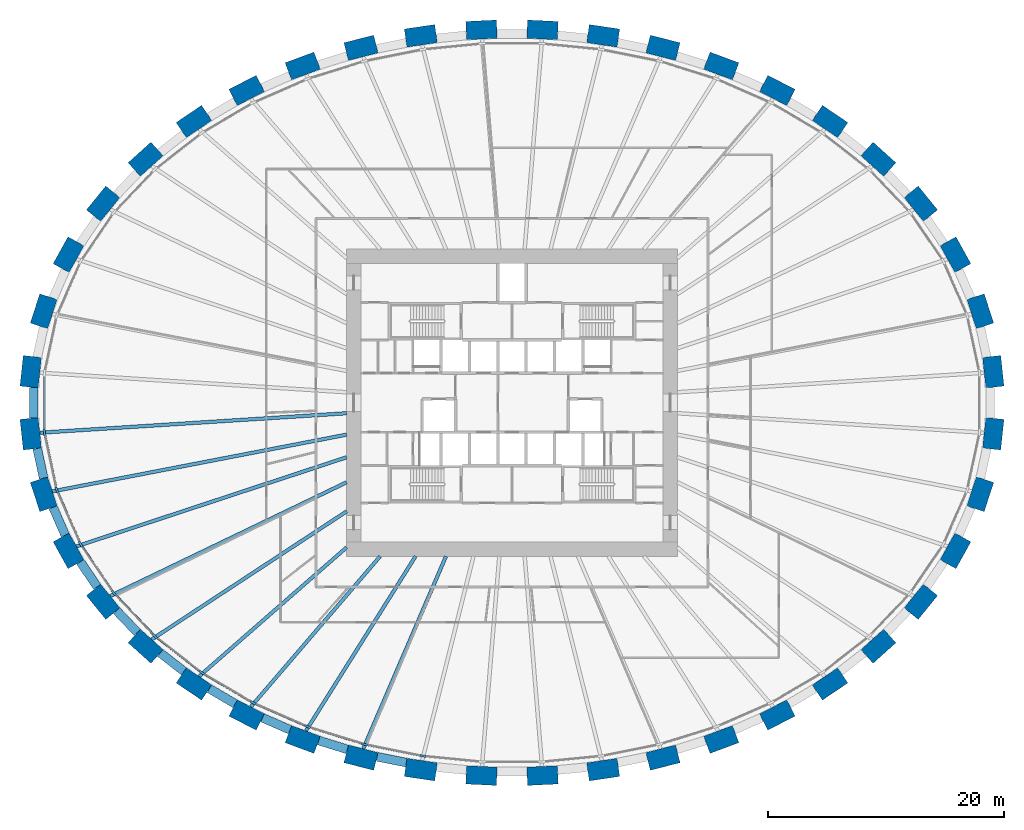
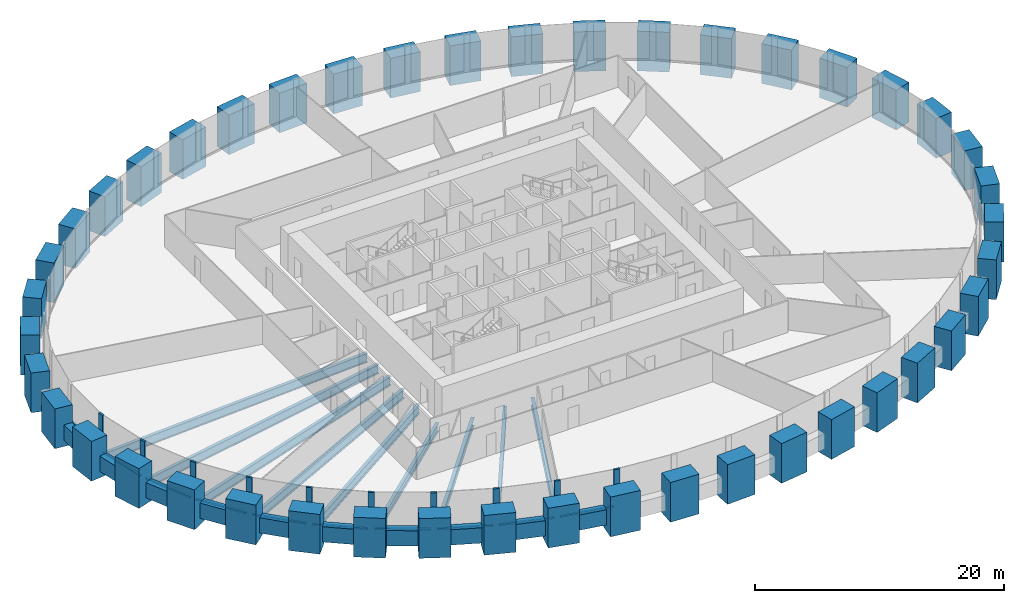
# One storey, part 1 of 11: 44 columns, 20 members, 19 beams, 1 element without a shape of its own.
"""IFC4 building model written with IfcOpenShell, lengths in metres."""

from ifc_helpers import new_model, si_unit, direction, frame, origin, origin_2d, place, context, subcontext, project, spatial, rectangle, i_section, extrude, source, transform, mapped, material, material_profile, profile_set, type_object, element, aggregate, save


model = new_model("IFC4")

# Units and contexts
model_context = context("Model", 3, precision=1e-05, world=origin(), true_north=direction((0.0, 1.0)))
body_context = subcontext(model_context, "Body", "Model", "MODEL_VIEW")
ifc_project = project(units=[si_unit("LENGTHUNIT", "METRE"), si_unit("AREAUNIT", "SQUARE_METRE"), si_unit("VOLUMEUNIT", "CUBIC_METRE"), si_unit("PLANEANGLEUNIT", "RADIAN"), si_unit("MASSUNIT", "GRAM", prefix="KILO")], contexts=[model_context])

# Site, building, storey
site_placement = place(None, origin())
site = spatial("IfcSite", under=ifc_project, at=site_placement, CompositionType="ELEMENT")
building_placement = place(site_placement, origin())
building = spatial("IfcBuilding", under=site, at=building_placement, Name="Embergate Tower", CompositionType="ELEMENT")
storey_placement = place(building_placement, frame((0.0, 0.0, 69.800048828125)))
storey = spatial("IfcBuildingStorey", under=building, at=storey_placement, Name="L13", CompositionType="ELEMENT", Elevation=69.800048828125)

# Columns
ifc_material_1 = material(Name="Concrete C70", Category="concrete")
ifc_material_profile_1 = material_profile(ifc_material_1, rectangle(XDim=1.550048828125, YDim=2.60009765625, at=origin_2d()), Name="RC 1550x2600")
ifc_profile_set_1 = profile_set([ifc_material_profile_1], Name="Concrete C70")
column_type = type_object("IfcColumnType", Name="Ring column RC 1550x2600 C70", PredefinedType="COLUMN", material=ifc_profile_set_1)
shared_shape_1 = source(origin(), body_context, "Body", "SweptSolid", [
    extrude(rectangle(XDim=1.550048828125, YDim=2.60009765625, at=origin_2d()), origin(), (0.0, 0.0, 1.0), 3.900146484375),
])
for number, where, z_axis, x_axis, name in (
    (1, (40.7529296875, 2.623046875, -1.400146484375), (0.0, 0.0, 1.0), (0.99428589498, 0.106749983816, 0.0), "COL-L13-00"),
    (2, (39.65087890625, 7.7470703125, -1.400146484375), (0.0, 0.0, 1.0), (0.950754033697, 0.309946394413, 0.0), "COL-L13-01"),
    (3, (37.550048828125, 12.5380859375, -1.400146484375), (0.0, 0.0, 1.0), (0.873500465855, 0.486823311018, 0.0), "COL-L13-02"),
    (4, (34.615966796875, 16.85302734375, -1.400146484375), (0.0, 0.0, 1.0), (0.775925311702, 0.630824786022, 0.0), "COL-L13-03"),
    (5, (31.02490234375, 20.618896484375, -1.400146484375), (0.0, 0.0, 1.0), (0.669208424634, 0.74307475021, 0.0), "COL-L13-04"),
    (6, (26.930908203125, 23.81396484375, -1.400146484375), (0.0, 0.0, 1.0), (0.560393279442, 0.828226643109, 0.0), "COL-L13-05"),
    (7, (22.464111328125, 26.44091796875, -1.400146484375), (0.0, 0.0, 1.0), (0.453010512651, 0.891505174089, 0.0), "COL-L13-06"),
    (8, (17.721923828125, 28.514892578125, -1.400146484375), (0.0, 0.0, 1.0), (0.348343015724, 0.93736713373, 0.0), "COL-L13-07"),
    (9, (12.785888671875, 30.052001953125, -1.400146484375), (0.0, 0.0, 1.0), (0.24650851817, 0.969140624713, 0.0), "COL-L13-08"),
    (10, (7.720947265625, 31.068115234375, -1.400146484375), (0.0, 0.0, 1.0), (0.146929011949, 0.989147039346, 0.0), "COL-L13-09"),
    (11, (2.58203125, 31.572998046875, -1.400146484375), (0.0, 0.0, 1.0), (0.048814904854, 0.998807841912, 0.0), "COL-L13-10"),
    (12, (-2.58203125, 31.572998046875, -1.400146484375), (0.0, 0.0, 1.0), (-0.048814904854, 0.998807841912, 0.0), "COL-L13-11"),
    (13, (-7.720947265625, 31.068115234375, -1.400146484375), (0.0, 0.0, 1.0), (-0.146929011949, 0.989147039346, 0.0), "COL-L13-12"),
    (14, (-12.785888671875, 30.052001953125, -1.400146484375), (0.0, 0.0, 1.0), (-0.24650851817, 0.969140624713, 0.0), "COL-L13-13"),
    (15, (-17.721923828125, 28.514892578125, -1.400146484375), (0.0, 0.0, 1.0), (-0.348343015724, 0.93736713373, 0.0), "COL-L13-14"),
    (16, (-22.464111328125, 26.44091796875, -1.400146484375), (0.0, 0.0, 1.0), (-0.453010512651, 0.891505174089, 0.0), "COL-L13-15"),
    (17, (-26.930908203125, 23.81396484375, -1.400146484375), (0.0, 0.0, 1.0), (-0.560393279442, 0.828226643109, 0.0), "COL-L13-16"),
    (18, (-31.02490234375, 20.618896484375, -1.400146484375), (0.0, 0.0, 1.0), (-0.669208424634, 0.74307475021, 0.0), "COL-L13-17"),
    (19, (-34.615966796875, 16.85302734375, -1.400146484375), (0.0, 0.0, 1.0), (-0.775925311702, 0.630824786022, 0.0), "COL-L13-18"),
    (20, (-37.550048828125, 12.5380859375, -1.400146484375), (0.0, 0.0, 1.0), (-0.873500465855, 0.486823311018, 0.0), "COL-L13-19"),
    (21, (-39.65087890625, 7.7470703125, -1.400146484375), (0.0, 0.0, 1.0), (-0.950754033697, 0.309946394413, 0.0), "COL-L13-20"),
    (22, (-40.7529296875, 2.623046875, -1.400146484375), (0.0, 0.0, 1.0), (-0.99428589498, 0.106749983816, 0.0), "COL-L13-21"),
    (23, (-40.7529296875, -2.623046875, -1.400146484375), (0.0, 0.0, 1.0), (-0.99428589498, -0.106749983816, 0.0), "COL-L13-22"),
    (24, (-39.65087890625, -7.7470703125, -1.400146484375), (0.0, 0.0, 1.0), (-0.950754033697, -0.309946394413, 0.0), "COL-L13-23"),
    (25, (-37.550048828125, -12.5380859375, -1.400146484375), (0.0, 0.0, 1.0), (-0.873500465855, -0.486823311018, 0.0), "COL-L13-24"),
    (26, (-34.615966796875, -16.85302734375, -1.400146484375), (0.0, 0.0, 1.0), (-0.775925311702, -0.630824786022, 0.0), "COL-L13-25"),
    (27, (-31.02490234375, -20.618896484375, -1.400146484375), (0.0, 0.0, 1.0), (-0.669208424634, -0.74307475021, 0.0), "COL-L13-26"),
    (28, (-26.930908203125, -23.81396484375, -1.400146484375), (0.0, 0.0, 1.0), (-0.560393279442, -0.828226643109, 0.0), "COL-L13-27"),
    (29, (-22.464111328125, -26.44091796875, -1.400146484375), (0.0, 0.0, 1.0), (-0.453010512651, -0.891505174089, 0.0), "COL-L13-28"),
    (30, (-17.721923828125, -28.514892578125, -1.400146484375), (0.0, 0.0, 1.0), (-0.348343015724, -0.93736713373, 0.0), "COL-L13-29"),
    (31, (-12.785888671875, -30.052001953125, -1.400146484375), (0.0, 0.0, 1.0), (-0.24650851817, -0.969140624713, 0.0), "COL-L13-30"),
    (32, (-7.720947265625, -31.068115234375, -1.400146484375), (0.0, 0.0, 1.0), (-0.146929011949, -0.989147039346, 0.0), "COL-L13-31"),
    (33, (-2.58203125, -31.572998046875, -1.400146484375), (0.0, 0.0, 1.0), (-0.048814904854, -0.998807841912, 0.0), "COL-L13-32"),
    (34, (2.58203125, -31.572998046875, -1.400146484375), (0.0, 0.0, 1.0), (0.048814904854, -0.998807841912, 0.0), "COL-L13-33"),
    (35, (7.720947265625, -31.068115234375, -1.400146484375), (0.0, 0.0, 1.0), (0.146929011949, -0.989147039346, 0.0), "COL-L13-34"),
    (36, (12.785888671875, -30.052001953125, -1.400146484375), (0.0, 0.0, 1.0), (0.24650851817, -0.969140624713, 0.0), "COL-L13-35"),
    (37, (17.721923828125, -28.514892578125, -1.400146484375), (0.0, 0.0, 1.0), (0.348343015724, -0.93736713373, 0.0), "COL-L13-36"),
    (38, (22.464111328125, -26.44091796875, -1.400146484375), (0.0, 0.0, 1.0), (0.453010512651, -0.891505174089, 0.0), "COL-L13-37"),
    (39, (26.930908203125, -23.81396484375, -1.400146484375), (0.0, 0.0, 1.0), (0.560393279442, -0.828226643109, 0.0), "COL-L13-38"),
    (40, (31.02490234375, -20.618896484375, -1.400146484375), (0.0, 0.0, 1.0), (0.669208424634, -0.74307475021, 0.0), "COL-L13-39"),
    (41, (34.615966796875, -16.85302734375, -1.400146484375), (0.0, 0.0, 1.0), (0.775925311702, -0.630824786022, 0.0), "COL-L13-40"),
    (42, (37.550048828125, -12.5380859375, -1.400146484375), (0.0, 0.0, 1.0), (0.873500465855, -0.486823311018, 0.0), "COL-L13-41"),
    (43, (39.65087890625, -7.7470703125, -1.400146484375), (0.0, 0.0, 1.0), (0.950754033697, -0.309946394413, 0.0), "COL-L13-42"),
    (44, (40.7529296875, -2.623046875, -1.400146484375), (0.0, 0.0, 1.0), (0.99428589498, -0.106749983816, 0.0), "COL-L13-43"),
):
    element("IfcColumn", number, at=place(storey_placement, frame(where, z_axis=z_axis, x_axis=x_axis)), inside=storey, type_object=column_type, Name=name, PredefinedType="COLUMN", context=body_context, shape_type="MappedRepresentation", body=[
        mapped(shared_shape_1, transform((0.0, 0.0, 0.0))),
    ])

# Beams
ifc_material_profile_2 = material_profile(ifc_material_1, rectangle(XDim=0.75, YDim=1.5, at=origin_2d()), Name="RC 750x1500")
ifc_profile_set_2 = profile_set([ifc_material_profile_2], Name="Concrete C70")
beam_type_1 = type_object("IfcBeamType", Name="Spandrel beam RC 750x1500 C70", PredefinedType="BEAM", material=ifc_profile_set_2)
shared_shape_2 = source(origin(), body_context, "Body", "SweptSolid", [
    extrude(rectangle(XDim=0.75, YDim=1.5, at=origin_2d()), origin(), (0.0, 0.0, 1.0), 2.5498046875),
])
beam_1_placement = place(storey_placement, frame((-33.48388671875, -17.60791015625, 0.0), z_axis=(0.689760361446, -0.724037736432, 0.0), x_axis=(0.724037736432, 0.689760361446, 0.0)))
element("IfcBeam", 45, at=beam_1_placement, inside=storey, type_object=beam_type_1, Name="SPN-L13-25", PredefinedType="BEAM", context=body_context, shape_type="MappedRepresentation", body=[
    mapped(shared_shape_2, transform((0.0, 0.0, 0.0))),
])
shared_shape_3 = source(origin(), body_context, "Body", "SweptSolid", [
    extrude(rectangle(XDim=0.75, YDim=1.5, at=origin_2d()), origin(), (0.0, 0.0, 1.0), 2.5693359375),
])
beam_2_placement = place(storey_placement, frame((-40.201904296875, -3.87109375, 0.0), z_axis=(0.210093623492, -0.977681271871, 0.0), x_axis=(0.977681271871, 0.210093623492, 0.0)))
element("IfcBeam", 46, at=beam_2_placement, inside=storey, type_object=beam_type_1, Name="SPN-L13-22", PredefinedType="BEAM", context=body_context, shape_type="MappedRepresentation", body=[
    mapped(shared_shape_3, transform((0.0, 0.0, 0.0))),
])
shared_shape_4 = source(origin(), body_context, "Body", "SweptSolid", [
    extrude(rectangle(XDim=0.75, YDim=1.5, at=origin_2d()), origin(), (0.0, 0.0, 1.0), 2.56591796875),
])
beam_3_placement = place(storey_placement, frame((-38.862060546875, -8.85693359375, 0.0), z_axis=(0.401427690069, -0.915890719271, 0.0), x_axis=(0.915890719271, 0.401427690069, 0.0)))
element("IfcBeam", 47, at=beam_3_placement, inside=storey, type_object=beam_type_1, Name="SPN-L13-23", PredefinedType="BEAM", context=body_context, shape_type="MappedRepresentation", body=[
    mapped(shared_shape_4, transform((0.0, 0.0, 0.0))),
])
shared_shape_5 = source(origin(), body_context, "Body", "SweptSolid", [
    extrude(rectangle(XDim=0.75, YDim=1.5, at=origin_2d()), origin(), (0.0, 0.0, 1.0), 2.556640625),
])
beam_4_placement = place(storey_placement, frame((-36.555908203125, -13.471923828125, 0.0), z_axis=(0.562432772417, -0.826843018058, 0.0), x_axis=(0.826843018058, 0.562432772417, 0.0)))
element("IfcBeam", 48, at=beam_4_placement, inside=storey, type_object=beam_type_1, Name="SPN-L13-24", PredefinedType="BEAM", context=body_context, shape_type="MappedRepresentation", body=[
    mapped(shared_shape_5, transform((0.0, 0.0, 0.0))),
])
shared_shape_6 = source(origin(), body_context, "Body", "SweptSolid", [
    extrude(rectangle(XDim=0.75, YDim=1.5, at=origin_2d()), origin(), (0.0, 0.0, 1.0), 2.542724609375),
])
beam_5_placement = place(storey_placement, frame((-29.783935546875, -21.18408203125, 0.0), z_axis=(0.788472504965, -0.615070003264, 0.0), x_axis=(0.615070003264, 0.788472504965, 0.0)))
element("IfcBeam", 49, at=beam_5_placement, inside=storey, type_object=beam_type_1, Name="SPN-L13-26", PredefinedType="BEAM", context=body_context, shape_type="MappedRepresentation", body=[
    mapped(shared_shape_6, transform((0.0, 0.0, 0.0))),
])
shared_shape_7 = source(origin(), body_context, "Body", "SweptSolid", [
    extrude(rectangle(XDim=0.75, YDim=1.5, at=origin_2d()), origin(), (0.0, 0.0, 1.0), 2.537109375),
])
beam_6_placement = place(storey_placement, frame((-25.62890625, -24.2099609375, 0.0), z_axis=(0.861993577549, -0.506919196978, 0.0), x_axis=(0.506919196978, 0.861993577549, 0.0)))
element("IfcBeam", 50, at=beam_6_placement, inside=storey, type_object=beam_type_1, Name="SPN-L13-27", PredefinedType="BEAM", context=body_context, shape_type="MappedRepresentation", body=[
    mapped(shared_shape_7, transform((0.0, 0.0, 0.0))),
])
shared_shape_8 = source(origin(), body_context, "Body", "SweptSolid", [
    extrude(rectangle(XDim=0.75, YDim=1.5, at=origin_2d()), origin(), (0.0, 0.0, 1.0), 2.53466796875),
])
beam_7_placement = place(storey_placement, frame((-21.1259765625, -26.677978515625, 0.0), z_axis=(0.91612417153, -0.400894627474, 0.0), x_axis=(0.400894627474, 0.91612417153, 0.0)))
element("IfcBeam", 51, at=beam_7_placement, inside=storey, type_object=beam_type_1, Name="SPN-L13-28", PredefinedType="BEAM", context=body_context, shape_type="MappedRepresentation", body=[
    mapped(shared_shape_8, transform((0.0, 0.0, 0.0))),
])
shared_shape_9 = source(origin(), body_context, "Body", "SweptSolid", [
    extrude(rectangle(XDim=0.75, YDim=1.5, at=origin_2d()), origin(), (0.0, 0.0, 1.0), 2.5322265625),
])
beam_8_placement = place(storey_placement, frame((-16.367919921875, -28.60302734375, 0.0), z_axis=(0.954890803875, -0.296957156294, 0.0), x_axis=(0.296957156294, 0.954890803875, 0.0)))
element("IfcBeam", 52, at=beam_8_placement, inside=storey, type_object=beam_type_1, Name="SPN-L13-29", PredefinedType="BEAM", context=body_context, shape_type="MappedRepresentation", body=[
    mapped(shared_shape_9, transform((0.0, 0.0, 0.0))),
])
shared_shape_10 = source(origin(), body_context, "Body", "SweptSolid", [
    extrude(rectangle(XDim=0.75, YDim=1.5, at=origin_2d()), origin(), (0.0, 0.0, 1.0), 2.5283203125),
])
beam_9_placement = place(storey_placement, frame((-11.426025390625, -29.97900390625, 0.0), z_axis=(0.980483995477, -0.19659891814, 0.0), x_axis=(0.19659891814, 0.980483995477, 0.0)))
element("IfcBeam", 53, at=beam_9_placement, inside=storey, type_object=beam_type_1, Name="SPN-L13-30", PredefinedType="BEAM", context=body_context, shape_type="MappedRepresentation", body=[
    mapped(shared_shape_10, transform((0.0, 0.0, 0.0))),
])
shared_shape_11 = source(origin(), body_context, "Body", "SweptSolid", [
    extrude(rectangle(XDim=0.75, YDim=1.5, at=origin_2d()), origin(), (0.0, 0.0, 1.0), 2.576171875),
])
beam_10_placement = place(storey_placement, frame((-40.4970703125, 1.2880859375, 0.0), z_axis=(0.0, -1.0, 0.0), x_axis=(1.0, 0.0, 0.0)))
element("IfcBeam", 54, at=beam_10_placement, inside=storey, type_object=beam_type_1, Name="SPN-L13-21", PredefinedType="BEAM", context=body_context, shape_type="MappedRepresentation", body=[
    mapped(shared_shape_11, transform((0.0, 0.0, 0.0))),
])
ifc_material_2 = material(Name="Steel Q355B", Category="steel")
ifc_material_profile_3 = material_profile(ifc_material_2, i_section(OverallWidth=0.300048828125, OverallDepth=0.89990234375, WebThickness=0.01611328125, FlangeThickness=0.028076171875, FilletRadius=0.028076171875, at=origin_2d()), Name="HN 900x300x16x28")
ifc_profile_set_3 = profile_set([ifc_material_profile_3], Name="Steel Q355 grade B")
beam_type_2 = type_object("IfcBeamType", Name="Radial girder HN 900x300x16x28", PredefinedType="BEAM", material=ifc_profile_set_3)
shared_shape_12 = source(origin(), body_context, "Body", "SweptSolid", [
    extrude(i_section(OverallWidth=0.300048828125, OverallDepth=0.89990234375, WebThickness=0.01611328125, FlangeThickness=0.028076171875, FilletRadius=0.028076171875, at=origin_2d()), origin(), (0.0, 0.0, 1.0), 26.034423828125),
])
beam_11_placement = place(storey_placement, frame((-39.98193359375, -2.5400390625, -0.650146484375), z_axis=(0.997986864702, 0.063420957753, 0.0), x_axis=(-0.063420957753, 0.997986864702, 0.0)))
element("IfcBeam", 55, at=beam_11_placement, inside=storey, type_object=beam_type_2, Name="GIR-L13-22", PredefinedType="BEAM", context=body_context, shape_type="MappedRepresentation", body=[
    mapped(shared_shape_12, transform((0.0, 0.0, 0.0))),
])
shared_shape_13 = source(origin(), body_context, "Body", "SweptSolid", [
    extrude(i_section(OverallWidth=0.300048828125, OverallDepth=0.89990234375, WebThickness=0.01611328125, FlangeThickness=0.028076171875, FilletRadius=0.028076171875, at=origin_2d()), origin(), (0.0, 0.0, 1.0), 25.373291015625),
])
beam_12_placement = place(storey_placement, frame((-38.9140625, -7.507080078125, -0.650146484375), z_axis=(0.981896748495, 0.189416935078, 0.0), x_axis=(-0.189416935078, 0.981896748495, 0.0)))
element("IfcBeam", 56, at=beam_12_placement, inside=storey, type_object=beam_type_2, Name="GIR-L13-23", PredefinedType="BEAM", context=body_context, shape_type="MappedRepresentation", body=[
    mapped(shared_shape_13, transform((0.0, 0.0, 0.0))),
])
shared_shape_14 = source(origin(), body_context, "Body", "SweptSolid", [
    extrude(i_section(OverallWidth=0.300048828125, OverallDepth=0.89990234375, WebThickness=0.01611328125, FlangeThickness=0.028076171875, FilletRadius=0.028076171875, at=origin_2d()), origin(), (0.0, 0.0, 1.0), 24.0849609375),
])
beam_13_placement = place(storey_placement, frame((-36.873046875, -12.160888671875, -0.650146484375), z_axis=(0.949680038857, 0.313221684748, 0.0), x_axis=(-0.313221684748, 0.949680038857, 0.0)))
element("IfcBeam", 57, at=beam_13_placement, inside=storey, type_object=beam_type_2, Name="GIR-L13-24", PredefinedType="BEAM", context=body_context, shape_type="MappedRepresentation", body=[
    mapped(shared_shape_14, transform((0.0, 0.0, 0.0))),
])
shared_shape_15 = source(origin(), body_context, "Body", "SweptSolid", [
    extrude(i_section(OverallWidth=0.300048828125, OverallDepth=0.89990234375, WebThickness=0.01611328125, FlangeThickness=0.028076171875, FilletRadius=0.028076171875, at=origin_2d()), origin(), (0.0, 0.0, 1.0), 22.210693359375),
])
beam_14_placement = place(storey_placement, frame((-34.014892578125, -16.364013671875, -0.650146484375), z_axis=(0.90114054222, 0.433527073165, 0.0), x_axis=(-0.433527073165, 0.90114054222, 0.0)))
element("IfcBeam", 58, at=beam_14_placement, inside=storey, type_object=beam_type_2, Name="GIR-L13-25", PredefinedType="BEAM", context=body_context, shape_type="MappedRepresentation", body=[
    mapped(shared_shape_15, transform((0.0, 0.0, 0.0))),
])
shared_shape_16 = source(origin(), body_context, "Body", "SweptSolid", [
    extrude(i_section(OverallWidth=0.300048828125, OverallDepth=0.89990234375, WebThickness=0.01611328125, FlangeThickness=0.028076171875, FilletRadius=0.028076171875, at=origin_2d()), origin(), (0.0, 0.0, 1.0), 19.75),
])
beam_15_placement = place(storey_placement, frame((-30.506103515625, -20.04296875, -0.650146484375), z_axis=(0.835749566876, 0.549110791614, 0.0), x_axis=(-0.549110791614, 0.835749566876, 0.0)))
element("IfcBeam", 59, at=beam_15_placement, inside=storey, type_object=beam_type_2, Name="GIR-L13-26", PredefinedType="BEAM", context=body_context, shape_type="MappedRepresentation", body=[
    mapped(shared_shape_16, transform((0.0, 0.0, 0.0))),
])
ifc_material_profile_4 = material_profile(ifc_material_2, i_section(OverallWidth=0.300048828125, OverallDepth=0.800048828125, WebThickness=0.013916015625, FlangeThickness=0.02587890625, FilletRadius=0.028076171875, at=origin_2d()), Name="HN 800x300x14x26")
ifc_profile_set_4 = profile_set([ifc_material_profile_4], Name="Steel Q355 grade B")
beam_type_3 = type_object("IfcBeamType", Name="Radial girder HN 800x300x14x26", PredefinedType="BEAM", material=ifc_profile_set_4)
shared_shape_17 = source(origin(), body_context, "Body", "SweptSolid", [
    extrude(i_section(OverallWidth=0.300048828125, OverallDepth=0.800048828125, WebThickness=0.013916015625, FlangeThickness=0.02587890625, FilletRadius=0.028076171875, at=origin_2d()), origin(), (0.0, 0.0, 1.0), 16.60205078125),
])
beam_16_placement = place(storey_placement, frame((-26.4970703125, -23.172119140625, -0.60009765625), z_axis=(0.752747930404, 0.65830885857, 0.0), x_axis=(-0.65830885857, 0.752747930404, 0.0)))
element("IfcBeam", 60, at=beam_16_placement, inside=storey, type_object=beam_type_3, Name="GIR-L13-27", PredefinedType="BEAM", context=body_context, shape_type="MappedRepresentation", body=[
    mapped(shared_shape_17, transform((0.0, 0.0, 0.0))),
])
shared_shape_18 = source(origin(), body_context, "Body", "SweptSolid", [
    extrude(i_section(OverallWidth=0.300048828125, OverallDepth=0.800048828125, WebThickness=0.013916015625, FlangeThickness=0.02587890625, FilletRadius=0.028076171875, at=origin_2d()), origin(), (0.0, 0.0, 1.0), 16.805908203125),
])
beam_17_placement = place(storey_placement, frame((-22.113037109375, -25.75, -0.60009765625), z_axis=(0.651490955051, 0.758656401467, 0.0), x_axis=(-0.758656401467, 0.651490955051, 0.0)))
element("IfcBeam", 61, at=beam_17_placement, inside=storey, type_object=beam_type_3, Name="GIR-L13-28", PredefinedType="BEAM", context=body_context, shape_type="MappedRepresentation", body=[
    mapped(shared_shape_18, transform((0.0, 0.0, 0.0))),
])
shared_shape_19 = source(origin(), body_context, "Body", "SweptSolid", [
    extrude(i_section(OverallWidth=0.300048828125, OverallDepth=0.800048828125, WebThickness=0.013916015625, FlangeThickness=0.02587890625, FilletRadius=0.028076171875, at=origin_2d()), origin(), (0.0, 0.0, 1.0), 17.463623046875),
])
beam_18_placement = place(storey_placement, frame((-17.451904296875, -27.7890625, -0.60009765625), z_axis=(0.531837384954, 0.846846500828, 0.0), x_axis=(-0.846846500828, 0.531837384954, 0.0)))
element("IfcBeam", 62, at=beam_18_placement, inside=storey, type_object=beam_type_3, Name="GIR-L13-29", PredefinedType="BEAM", context=body_context, shape_type="MappedRepresentation", body=[
    mapped(shared_shape_19, transform((0.0, 0.0, 0.0))),
])
shared_shape_20 = source(origin(), body_context, "Body", "SweptSolid", [
    extrude(i_section(OverallWidth=0.300048828125, OverallDepth=0.800048828125, WebThickness=0.013916015625, FlangeThickness=0.02587890625, FilletRadius=0.028076171875, at=origin_2d()), origin(), (0.0, 0.0, 1.0), 17.7431640625),
])
beam_19_placement = place(storey_placement, frame((-12.594970703125, -29.301025390625, -0.60009765625), z_axis=(0.394915454917, 0.918717466617, 0.0), x_axis=(-0.918717466617, 0.394915454917, 0.0)))
element("IfcBeam", 63, at=beam_19_placement, inside=storey, type_object=beam_type_3, Name="GIR-L13-30", PredefinedType="BEAM", context=body_context, shape_type="MappedRepresentation", body=[
    mapped(shared_shape_20, transform((0.0, 0.0, 0.0))),
])

# Curtain wall, members
ifc_material_3 = material(Name="Aluminium and glass", Category="aluminium")
curtain_wall_type = type_object("IfcCurtainWallType", Name="Recessed office glazing", PredefinedType="NOTDEFINED", material=ifc_material_3)
curtain_wall_placement = place(storey_placement, origin())
curtain_wall = element("IfcCurtainWall", 64, at=curtain_wall_placement, inside=storey, type_object=curtain_wall_type, Name="Recessed office glazing ring", ObjectType="RECESSED OFFICE GLAZING", PredefinedType="USERDEFINED")
ifc_material_4 = material(Name="Aluminium, thermally broken", Category="aluminium")
ifc_material_profile_5 = material_profile(ifc_material_4, rectangle(XDim=0.179931640625, YDim=0.52001953125, at=origin_2d()), Name="AL 520x180")
ifc_profile_set_5 = profile_set([ifc_material_profile_5], Name="Aluminium, thermally broken")
member_type_1 = type_object("IfcMemberType", Name="Office mullion", PredefinedType="MULLION", material=ifc_profile_set_5)
shared_shape_21 = source(origin(), body_context, "Body", "SweptSolid", [
    extrude(rectangle(XDim=0.179931640625, YDim=0.52001953125, at=origin_2d()), origin(), (0.0, 0.0, 1.0), 3.699951171875),
])
member_1_placement = place(storey_placement, frame((-39.59521484375, -2.498291015625, 0.0), z_axis=(0.0, 0.0, 1.0), x_axis=(0.994385324123, 0.105819786286, 0.0)))
member_1 = element("IfcMember", 65, at=member_1_placement, type_object=member_type_1, Name="CW mullion 23", PredefinedType="MULLION", context=body_context, shape_type="MappedRepresentation", body=[
    mapped(shared_shape_21, transform((0.0, 0.0, 0.0))),
])
member_2_placement = place(storey_placement, frame((-38.543212890625, -7.3857421875, 0.0), z_axis=(0.0, 0.0, 1.0), x_axis=(0.951501019702, 0.307645590748, 0.0)))
member_2 = element("IfcMember", 66, at=member_2_placement, type_object=member_type_1, Name="CW mullion 24", PredefinedType="MULLION", context=body_context, shape_type="MappedRepresentation", body=[
    mapped(shared_shape_21, transform((0.0, 0.0, 0.0))),
])
member_3_placement = place(storey_placement, frame((-36.532470703125, -11.970458984375, 0.0), z_axis=(0.0, 0.0, 1.0), x_axis=(0.875007810402, 0.484108801547, 0.0)))
member_3 = element("IfcMember", 67, at=member_3_placement, type_object=member_type_1, Name="CW mullion 25", PredefinedType="MULLION", context=body_context, shape_type="MappedRepresentation", body=[
    mapped(shared_shape_21, transform((0.0, 0.0, 0.0))),
])
member_4_placement = place(storey_placement, frame((-33.712158203125, -16.11767578125, 0.0), z_axis=(0.0, 0.0, 1.0), x_axis=(0.777880241921, 0.628412547002, 0.0)))
member_4 = element("IfcMember", 68, at=member_4_placement, type_object=member_type_1, Name="CW mullion 26", PredefinedType="MULLION", context=body_context, shape_type="MappedRepresentation", body=[
    mapped(shared_shape_21, transform((0.0, 0.0, 0.0))),
])
member_5_placement = place(storey_placement, frame((-30.2451171875, -19.75341796875, 0.0), z_axis=(0.0, 0.0, 1.0), x_axis=(0.671234296295, 0.74124524921, 0.0)))
member_5 = element("IfcMember", 69, at=member_5_placement, type_object=member_type_1, Name="CW mullion 27", PredefinedType="MULLION", context=body_context, shape_type="MappedRepresentation", body=[
    mapped(shared_shape_21, transform((0.0, 0.0, 0.0))),
])
member_6_placement = place(storey_placement, frame((-26.278564453125, -22.849365234375, 0.0), z_axis=(0.0, 0.0, 1.0), x_axis=(0.562223392005, 0.826985403428, 0.0)))
member_6 = element("IfcMember", 70, at=member_6_placement, type_object=member_type_1, Name="CW mullion 28", PredefinedType="MULLION", context=body_context, shape_type="MappedRepresentation", body=[
    mapped(shared_shape_21, transform((0.0, 0.0, 0.0))),
])
member_7_placement = place(storey_placement, frame((-21.935791015625, -25.402587890625, 0.0), z_axis=(0.0, 0.0, 1.0), x_axis=(0.454516044429, 0.890738550506, 0.0)))
member_7 = element("IfcMember", 71, at=member_7_placement, type_object=member_type_1, Name="CW mullion 29", PredefinedType="MULLION", context=body_context, shape_type="MappedRepresentation", body=[
    mapped(shared_shape_21, transform((0.0, 0.0, 0.0))),
])
member_8_placement = place(storey_placement, frame((-17.31591796875, -27.422607421875, 0.0), z_axis=(0.0, 0.0, 1.0), x_axis=(0.349507588628, 0.936933533124, 0.0)))
member_8 = element("IfcMember", 72, at=member_8_placement, type_object=member_type_1, Name="CW mullion 30", PredefinedType="MULLION", context=body_context, shape_type="MappedRepresentation", body=[
    mapped(shared_shape_21, transform((0.0, 0.0, 0.0))),
])
member_9_placement = place(storey_placement, frame((-12.498779296875, -28.9228515625, 0.0), z_axis=(0.0, 0.0, 1.0), x_axis=(0.247315263593, 0.968935065107, 0.0)))
member_9 = element("IfcMember", 73, at=member_9_placement, type_object=member_type_1, Name="CW mullion 31", PredefinedType="MULLION", context=body_context, shape_type="MappedRepresentation", body=[
    mapped(shared_shape_21, transform((0.0, 0.0, 0.0))),
])
member_10_placement = place(storey_placement, frame((-7.549560546875, -29.915283203125, 0.0), z_axis=(0.0, 0.0, 1.0), x_axis=(0.14741410908, 0.98907486089, 0.0)))
member_10 = element("IfcMember", 74, at=member_10_placement, type_object=member_type_1, Name="CW mullion 32", PredefinedType="MULLION", context=body_context, shape_type="MappedRepresentation", body=[
    mapped(shared_shape_21, transform((0.0, 0.0, 0.0))),
])
ifc_material_profile_6 = material_profile(ifc_material_4, rectangle(XDim=0.179931640625, YDim=0.14990234375, at=origin_2d()), Name="AL 150x180")
ifc_profile_set_6 = profile_set([ifc_material_profile_6], Name="Aluminium, thermally broken")
member_type_2 = type_object("IfcMemberType", Name="Office sill transom", PredefinedType="USERDEFINED", material=ifc_profile_set_6)
shared_shape_22 = source(origin(), body_context, "Body", "SweptSolid", [
    extrude(rectangle(XDim=0.179931640625, YDim=0.14990234375, at=origin_2d()), origin(), (0.0, 0.0, 1.0), 4.50390625),
])
member_11_placement = place(storey_placement, frame((-33.53271484375, -16.305908203125, 0.074951171875), z_axis=(0.69015852771, -0.723658211194, 0.0), x_axis=(0.723658211194, 0.69015852771, 0.0)))
member_11 = element("IfcMember", 75, at=member_11_placement, type_object=member_type_2, Name="CW transom 26.1", ObjectType="TRANSOM", PredefinedType="USERDEFINED", context=body_context, shape_type="MappedRepresentation", body=[
    mapped(shared_shape_22, transform((0.0, 0.0, 0.0))),
])
shared_shape_23 = source(origin(), body_context, "Body", "SweptSolid", [
    extrude(rectangle(XDim=0.179931640625, YDim=0.14990234375, at=origin_2d()), origin(), (0.0, 0.0, 1.0), 4.4794921875),
])
member_12_placement = place(storey_placement, frame((-39.540283203125, -2.75244140625, 0.074951171875), z_axis=(0.210381382065, -0.977619391216, 0.0), x_axis=(0.977619391216, 0.210381382065, 0.0)))
member_12 = element("IfcMember", 76, at=member_12_placement, type_object=member_type_2, Name="CW transom 23.1", ObjectType="TRANSOM", PredefinedType="USERDEFINED", context=body_context, shape_type="MappedRepresentation", body=[
    mapped(shared_shape_23, transform((0.0, 0.0, 0.0))),
])
shared_shape_24 = source(origin(), body_context, "Body", "SweptSolid", [
    extrude(rectangle(XDim=0.179931640625, YDim=0.14990234375, at=origin_2d()), origin(), (0.0, 0.0, 1.0), 4.486328125),
])
member_13_placement = place(storey_placement, frame((-38.43896484375, -7.623779296875, 0.074951171875), z_axis=(0.401655089719, -0.915791018138, 0.0), x_axis=(0.915791018138, 0.401655089719, 0.0)))
member_13 = element("IfcMember", 77, at=member_13_placement, type_object=member_type_2, Name="CW transom 24.1", ObjectType="TRANSOM", PredefinedType="USERDEFINED", context=body_context, shape_type="MappedRepresentation", body=[
    mapped(shared_shape_24, transform((0.0, 0.0, 0.0))),
])
shared_shape_25 = source(origin(), body_context, "Body", "SweptSolid", [
    extrude(rectangle(XDim=0.179931640625, YDim=0.14990234375, at=origin_2d()), origin(), (0.0, 0.0, 1.0), 4.4951171875),
])
member_14_placement = place(storey_placement, frame((-36.38623046875, -12.185546875, 0.074951171875), z_axis=(0.562347159837, -0.826901246718, 0.0), x_axis=(0.826901246718, 0.562347159837, 0.0)))
member_14 = element("IfcMember", 78, at=member_14_placement, type_object=member_type_2, Name="CW transom 25.1", ObjectType="TRANSOM", PredefinedType="USERDEFINED", context=body_context, shape_type="MappedRepresentation", body=[
    mapped(shared_shape_25, transform((0.0, 0.0, 0.0))),
])
shared_shape_26 = source(origin(), body_context, "Body", "SweptSolid", [
    extrude(rectangle(XDim=0.179931640625, YDim=0.14990234375, at=origin_2d()), origin(), (0.0, 0.0, 1.0), 4.511474609375),
])
member_15_placement = place(storey_placement, frame((-30.0400390625, -19.91357421875, 0.074951171875), z_axis=(0.788345870827, -0.615232304052, 0.0), x_axis=(0.615232304052, 0.788345870827, 0.0)))
member_15 = element("IfcMember", 79, at=member_15_placement, type_object=member_type_2, Name="CW transom 27.1", ObjectType="TRANSOM", PredefinedType="USERDEFINED", context=body_context, shape_type="MappedRepresentation", body=[
    mapped(shared_shape_26, transform((0.0, 0.0, 0.0))),
])
shared_shape_27 = source(origin(), body_context, "Body", "SweptSolid", [
    extrude(rectangle(XDim=0.179931640625, YDim=0.14990234375, at=origin_2d()), origin(), (0.0, 0.0, 1.0), 4.517578125),
])
member_16_placement = place(storey_placement, frame((-26.054443359375, -22.981201171875, 0.074951171875), z_axis=(0.862064774491, -0.506798110279, 0.0), x_axis=(0.506798110279, 0.862064774491, 0.0)))
member_16 = element("IfcMember", 80, at=member_16_placement, type_object=member_type_2, Name="CW transom 28.1", ObjectType="TRANSOM", PredefinedType="USERDEFINED", context=body_context, shape_type="MappedRepresentation", body=[
    mapped(shared_shape_27, transform((0.0, 0.0, 0.0))),
])
shared_shape_28 = source(origin(), body_context, "Body", "SweptSolid", [
    extrude(rectangle(XDim=0.179931640625, YDim=0.14990234375, at=origin_2d()), origin(), (0.0, 0.0, 1.0), 4.522216796875),
])
member_17_placement = place(storey_placement, frame((-21.697509765625, -25.506591796875, 0.074951171875), z_axis=(0.916232902024, -0.400646064812, 0.0), x_axis=(0.400646064812, 0.916232902024, 0.0)))
member_17 = element("IfcMember", 81, at=member_17_placement, type_object=member_type_2, Name="CW transom 29.1", ObjectType="TRANSOM", PredefinedType="USERDEFINED", context=body_context, shape_type="MappedRepresentation", body=[
    mapped(shared_shape_28, transform((0.0, 0.0, 0.0))),
])
shared_shape_29 = source(origin(), body_context, "Body", "SweptSolid", [
    extrude(rectangle(XDim=0.179931640625, YDim=0.14990234375, at=origin_2d()), origin(), (0.0, 0.0, 1.0), 4.525390625),
])
member_18_placement = place(storey_placement, frame((-17.067626953125, -27.5, 0.074951171875), z_axis=(0.954780911234, -0.297310295051, 0.0), x_axis=(0.297310295051, 0.954780911234, 0.0)))
member_18 = element("IfcMember", 82, at=member_18_placement, type_object=member_type_2, Name="CW transom 30.1", ObjectType="TRANSOM", PredefinedType="USERDEFINED", context=body_context, shape_type="MappedRepresentation", body=[
    mapped(shared_shape_29, transform((0.0, 0.0, 0.0))),
])
shared_shape_30 = source(origin(), body_context, "Body", "SweptSolid", [
    extrude(rectangle(XDim=0.179931640625, YDim=0.14990234375, at=origin_2d()), origin(), (0.0, 0.0, 1.0), 4.52783203125),
])
member_19_placement = place(storey_placement, frame((-12.243896484375, -28.97412109375, 0.074951171875), z_axis=(0.980485162379, -0.19659309844, 0.0), x_axis=(0.19659309844, 0.980485162379, 0.0)))
member_19 = element("IfcMember", 83, at=member_19_placement, type_object=member_type_2, Name="CW transom 31.1", ObjectType="TRANSOM", PredefinedType="USERDEFINED", context=body_context, shape_type="MappedRepresentation", body=[
    mapped(shared_shape_30, transform((0.0, 0.0, 0.0))),
])
shared_shape_31 = source(origin(), body_context, "Body", "SweptSolid", [
    extrude(rectangle(XDim=0.179931640625, YDim=0.14990234375, at=origin_2d()), origin(), (0.0, 0.0, 1.0), 4.4765625),
])
member_20_placement = place(storey_placement, frame((-39.59521484375, 2.23828125, 0.074951171875), z_axis=(0.0, -1.0, 0.0), x_axis=(1.0, 0.0, 0.0)))
member_20 = element("IfcMember", 84, at=member_20_placement, type_object=member_type_2, Name="CW transom 22.1", ObjectType="TRANSOM", PredefinedType="USERDEFINED", context=body_context, shape_type="MappedRepresentation", body=[
    mapped(shared_shape_31, transform((0.0, 0.0, 0.0))),
])
aggregate(curtain_wall, [member_1, member_2, member_3, member_4, member_5, member_6, member_7, member_8, member_9, member_10, member_20, member_12, member_13, member_14, member_11, member_15, member_16, member_17, member_18, member_19])

save(model, "model.ifc")
